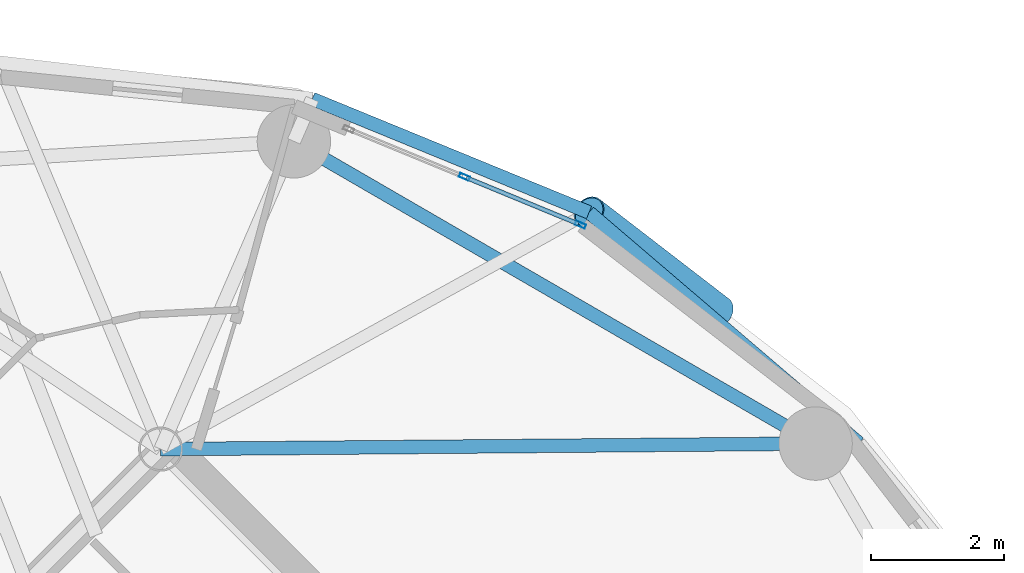
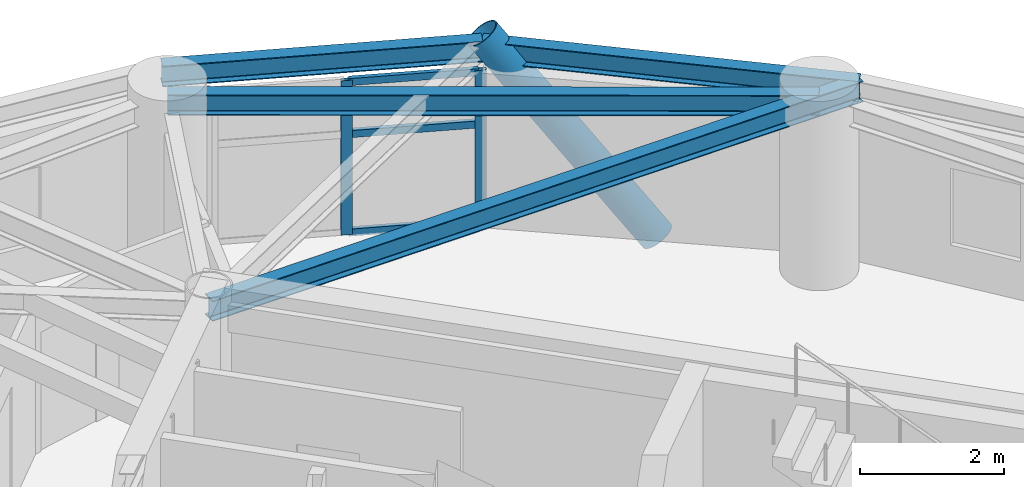
# One storey, part 6 of 15: 6 members, 4 beams, 1 element without a shape of its own.
"""IFC4 building model written with IfcOpenShell, lengths in metres."""

from ifc_helpers import new_model, si_unit, direction, frame, origin, origin_2d, place, context, subcontext, project, spatial, hollow_rectangle, hollow_circle, i_section, extrude, material, layer, layer_set, material_profile, profile_set, type_object, element, aggregate, save


model = new_model("IFC4")

# Units and contexts
model_context = context("Model", 3, precision=1e-05, world=origin(), true_north=direction((0.0, 1.0)))
body_context = subcontext(model_context, "Body", "Model", "MODEL_VIEW")
ifc_project = project(units=[si_unit("LENGTHUNIT", "METRE"), si_unit("AREAUNIT", "SQUARE_METRE"), si_unit("VOLUMEUNIT", "CUBIC_METRE"), si_unit("PLANEANGLEUNIT", "RADIAN"), si_unit("MASSUNIT", "GRAM", prefix="KILO")], contexts=[model_context])

# Site, building, storey
site_placement = place(None, origin())
site = spatial("IfcSite", under=ifc_project, at=site_placement, CompositionType="ELEMENT")
building_placement = place(site_placement, origin())
building = spatial("IfcBuilding", under=site, at=building_placement, Name="Cununo Teusaquillo Station Towers", CompositionType="ELEMENT")
storey_placement = place(building_placement, frame((0.0, 0.0, 229.25)))
storey = spatial("IfcBuildingStorey", under=building, at=storey_placement, Name="L73", CompositionType="ELEMENT", Elevation=229.25)

# Beams
ifc_material_1 = material(Name="Steel ASTM A572 Grade 50", Category="steel")
ifc_material_profile_1 = material_profile(ifc_material_1, i_section(OverallWidth=0.2041015625, OverallDepth=0.35009765625, WebThickness=0.008544921875, FlangeThickness=0.01513671875, FilletRadius=0.011962890625, at=origin_2d()), Name="W14X48")
ifc_profile_set_1 = profile_set([ifc_material_profile_1], Name="Steel ASTM A572 Grade 50")
beam_type_1 = type_object("IfcBeamType", Name="BM-RAD-G3", PredefinedType="BEAM", material=ifc_profile_set_1)
beam_1_placement = place(storey_placement, frame((56.29443359375, 33.024169921875, 2.81494140625), z_axis=(0.999964325253, 0.008446787673, 0.0), x_axis=(-0.008446787673, 0.999964325253, 0.0)))
element("IfcBeam", 1, at=beam_1_placement, inside=storey, type_object=beam_type_1, Name="L73 Tower B Continuous Overhanging Radial Girder 01", PredefinedType="BEAM", context=body_context, shape_type="SweptSolid", body=[
    extrude(i_section(OverallWidth=0.2041015625, OverallDepth=0.35009765625, WebThickness=0.008544921875, FlangeThickness=0.01513671875, FilletRadius=0.011962890625, at=origin_2d()), origin(), (0.0, 0.0, 1.0), 10.463134765625),
])
ifc_material_2 = material(Name="Steel ASTM A572 Grade 50", Category="steel")
ifc_material_profile_2 = material_profile(ifc_material_2, i_section(OverallWidth=0.2041015625, OverallDepth=0.35009765625, WebThickness=0.008544921875, FlangeThickness=0.01513671875, FilletRadius=0.011962890625, at=origin_2d()), Name="W14X48")
ifc_profile_set_2 = profile_set([ifc_material_profile_2], Name="Steel ASTM A572 Grade 50")
beam_type_2 = type_object("IfcBeamType", Name="BM-RING-Z4", PredefinedType="SPANDREL", material=ifc_profile_set_2)
beam_2_placement = place(storey_placement, frame((66.10693359375, 33.10693359375, 2.81494140625), z_axis=(-0.865267103202, 0.501311121078, 0.0), x_axis=(-0.501311121078, -0.865267103202, 0.0)))
element("IfcBeam", 2, at=beam_2_placement, inside=storey, type_object=beam_type_2, Name="L73 Tower B Structural Column Ring Girder 01", PredefinedType="SPANDREL", context=body_context, shape_type="SweptSolid", body=[
    extrude(i_section(OverallWidth=0.2041015625, OverallDepth=0.35009765625, WebThickness=0.008544921875, FlangeThickness=0.01513671875, FilletRadius=0.011962890625, at=origin_2d()), origin(), (0.0, 0.0, 1.0), 9.032958984375),
])
beam_3_placement = place(storey_placement, frame((66.757080078125, 33.112548828125, 2.81494140625), z_axis=(-0.760065778291, 0.649846145385, 0.0), x_axis=(-0.649846145385, -0.760065778291, 0.0)))
element("IfcBeam", 3, at=beam_3_placement, inside=storey, type_object=beam_type_2, Name="L73 Tower B Spandrel Ring Beam 01", PredefinedType="SPANDREL", context=body_context, shape_type="SweptSolid", body=[
    extrude(i_section(OverallWidth=0.2041015625, OverallDepth=0.35009765625, WebThickness=0.008544921875, FlangeThickness=0.01513671875, FilletRadius=0.011962890625, at=origin_2d()), origin(), (0.0, 0.0, 1.0), 5.320556640625),
])
beam_4_placement = place(storey_placement, frame((62.713134765625, 36.570068359375, 2.81494140625), z_axis=(-0.925283830437, 0.379275405388, 0.0), x_axis=(-0.379275405388, -0.925283830437, 0.0)))
element("IfcBeam", 4, at=beam_4_placement, inside=storey, type_object=beam_type_2, Name="L73 Tower B Spandrel Ring Beam 02", PredefinedType="SPANDREL", context=body_context, shape_type="SweptSolid", body=[
    extrude(i_section(OverallWidth=0.2041015625, OverallDepth=0.35009765625, WebThickness=0.008544921875, FlangeThickness=0.01513671875, FilletRadius=0.011962890625, at=origin_2d()), origin(), (0.0, 0.0, 1.0), 4.482177734375),
])

# Curtain wall, members
ifc_material_3 = material(Name="Ceramic-fritted dark low-E double glazing", Category="glass")
ifc_layer = layer(ifc_material_3, 0.179931640625)
ifc_layer_set = layer_set([ifc_layer], Name="Ceramic-fritted dark low-E double glazing")
curtain_wall_type = type_object("IfcCurtainWallType", Name="CW-SYS-07", PredefinedType="USERDEFINED", material=ifc_layer_set)
curtain_wall_placement = place(storey_placement, origin())
curtain_wall = element("IfcCurtainWall", 5, at=curtain_wall_placement, inside=storey, type_object=curtain_wall_type, Name="L73 Tower B Facade Curtain Wall C01", ObjectType="FRITTED GLAZING", PredefinedType="USERDEFINED")
ifc_material_4 = material(Name="Anodised dark bronze aluminium EN AW-6063-T6", Category="aluminium")
ifc_material_profile_3 = material_profile(ifc_material_4, hollow_rectangle(XDim=0.06494140625, YDim=0.159912109375, WallThickness=0.00390625, at=origin_2d()), Name="CW-MULL-65x160")
ifc_profile_set_3 = profile_set([ifc_material_profile_3], Name="Anodised dark bronze aluminium EN AW-6063-T6")
member_type_1 = type_object("IfcMemberType", Name="CWM-160", PredefinedType="MULLION", material=ifc_profile_set_3)
member_1_placement = place(storey_placement, frame((60.84716796875, 37.102294921875, 0.0), z_axis=(0.0, 0.0, 1.0), x_axis=(0.381310513086, 0.924447019904, 0.0)))
member_1 = element("IfcMember", 6, at=member_1_placement, type_object=member_type_1, Name="CW-07 mullion 2", PredefinedType="MULLION", context=body_context, shape_type="SweptSolid", body=[
    extrude(hollow_rectangle(XDim=0.06494140625, YDim=0.159912109375, WallThickness=0.00390625, at=origin_2d()), origin(), (0.0, 0.0, 1.0), 2.612060546875),
])
member_2_placement = place(storey_placement, frame((62.583251953125, 36.38623046875, 0.0), z_axis=(0.0, 0.0, 1.0), x_axis=(0.381310513086, 0.924447019904, 0.0)))
member_2 = element("IfcMember", 7, at=member_2_placement, type_object=member_type_1, Name="CW-07 mullion 3", PredefinedType="MULLION", context=body_context, shape_type="SweptSolid", body=[
    extrude(hollow_rectangle(XDim=0.06494140625, YDim=0.159912109375, WallThickness=0.00390625, at=origin_2d()), origin(), (0.0, 0.0, 1.0), 2.612060546875),
])
ifc_material_5 = material(Name="Anodised dark bronze aluminium EN AW-6063-T6", Category="aluminium")
ifc_material_profile_4 = material_profile(ifc_material_5, hollow_rectangle(XDim=0.06494140625, YDim=0.1201171875, WallThickness=0.00390625, at=origin_2d()), Name="CW-TRAN-65x120")
ifc_profile_set_4 = profile_set([ifc_material_profile_4], Name="Anodised dark bronze aluminium EN AW-6063-T6")
member_type_2 = type_object("IfcMemberType", Name="CWT-120", PredefinedType="USERDEFINED", material=ifc_profile_set_4)
member_3_placement = place(storey_placement, frame((60.877197265625, 37.08984375, 0.032470703125), z_axis=(0.92447716721, -0.381237415932, 0.0), x_axis=(0.381237415932, 0.92447716721, 0.0)))
member_3 = element("IfcMember", 8, at=member_3_placement, type_object=member_type_2, Name="CW-07 transom 2.1", ObjectType="TRANSOM", PredefinedType="USERDEFINED", context=body_context, shape_type="SweptSolid", body=[
    extrude(hollow_rectangle(XDim=0.06494140625, YDim=0.1201171875, WallThickness=0.00390625, at=origin_2d()), origin(), (0.0, 0.0, 1.0), 1.81298828125),
])
member_4_placement = place(storey_placement, frame((60.877197265625, 37.08984375, 1.697998046875), z_axis=(0.92447716721, -0.381237415932, 0.0), x_axis=(0.381237415932, 0.92447716721, 0.0)))
member_4 = element("IfcMember", 9, at=member_4_placement, type_object=member_type_2, Name="CW-07 transom 2.2", ObjectType="TRANSOM", PredefinedType="USERDEFINED", context=body_context, shape_type="SweptSolid", body=[
    extrude(hollow_rectangle(XDim=0.06494140625, YDim=0.1201171875, WallThickness=0.00390625, at=origin_2d()), origin(), (0.0, 0.0, 1.0), 1.81298828125),
])
member_5_placement = place(storey_placement, frame((60.877197265625, 37.08984375, 2.57958984375), z_axis=(0.92447716721, -0.381237415932, 0.0), x_axis=(0.381237415932, 0.92447716721, 0.0)))
member_5 = element("IfcMember", 10, at=member_5_placement, type_object=member_type_2, Name="CW-07 transom 2.3", ObjectType="TRANSOM", PredefinedType="USERDEFINED", context=body_context, shape_type="SweptSolid", body=[
    extrude(hollow_rectangle(XDim=0.06494140625, YDim=0.1201171875, WallThickness=0.00390625, at=origin_2d()), origin(), (0.0, 0.0, 1.0), 1.81298828125),
])
aggregate(curtain_wall, [member_1, member_2, member_3, member_4, member_5])

# Member
ifc_material_6 = material(Name="Steel EN 10025-2 S355J2", Category="steel")
ifc_material_profile_5 = material_profile(ifc_material_6, hollow_circle(Radius=0.25390625, WallThickness=0.01806640625, at=origin_2d()), Name="CHS 508x18")
ifc_profile_set_5 = profile_set([ifc_material_profile_5], Name="Steel EN 10025-2 S355J2")
member_type_3 = type_object("IfcMemberType", Name="MBR-DIAG-Z4", PredefinedType="BRACE", material=ifc_profile_set_5)
member_6_placement = place(storey_placement, frame((64.649658203125, 35.078125, -0.139892578125), z_axis=(-0.480900062149, 0.370496757412, 0.794649157159), x_axis=(-0.610304239587, -0.792167113141, 0.0)))
element("IfcMember", 11, at=member_6_placement, inside=storey, type_object=member_type_3, Name="L73 Tower B Folded-Zigzag Diagrid Tube C00", PredefinedType="BRACE", context=body_context, shape_type="SweptSolid", body=[
    extrude(hollow_circle(Radius=0.25390625, WallThickness=0.01806640625, at=origin_2d()), origin(), (0.0, 0.0, 1.0), 4.02685546875),
])

save(model, "model.ifc")
